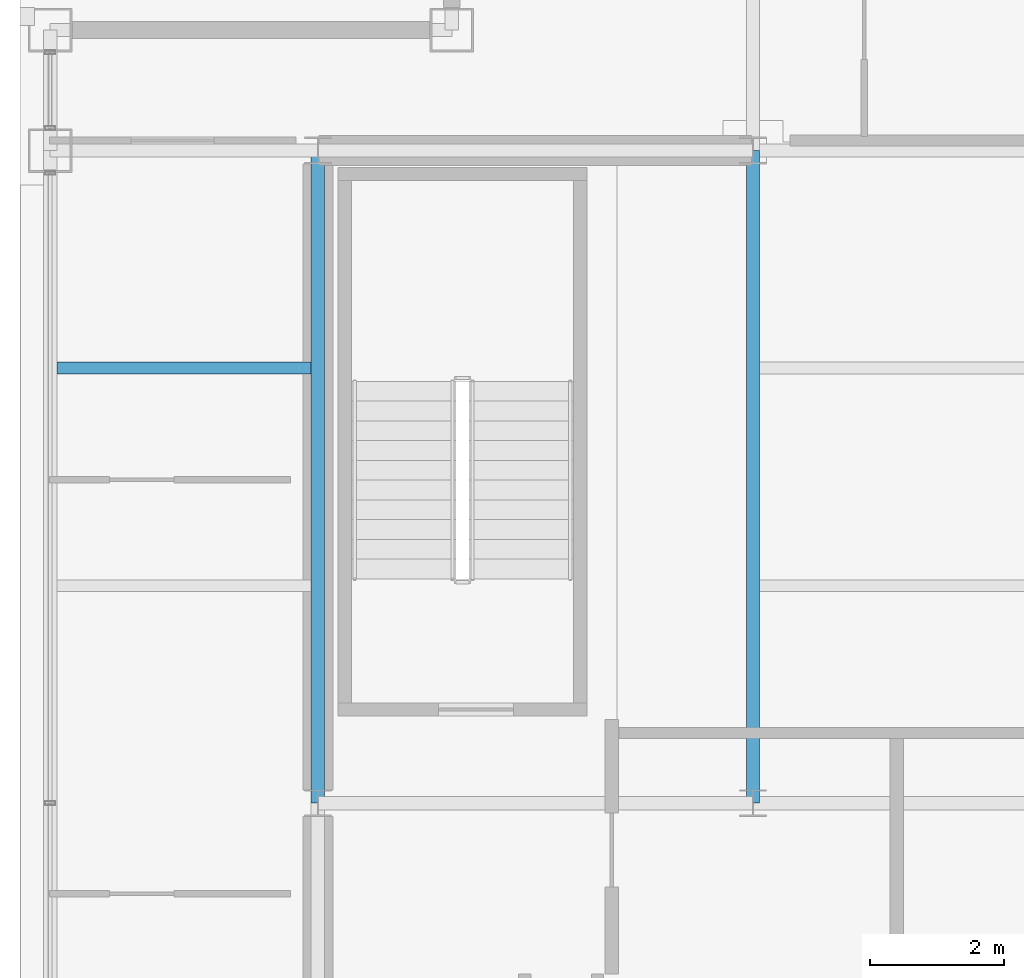
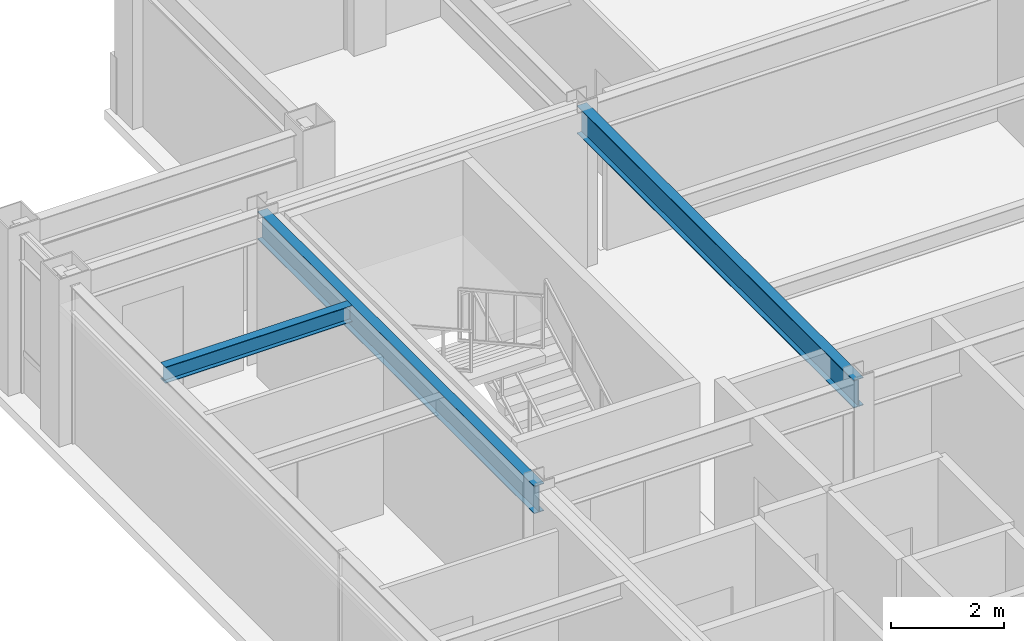
# One storey, part 8 of 24: 3 beams.
"""IFC4 building model written with IfcOpenShell, lengths in metres."""

from ifc_helpers import new_model, si_unit, direction, frame, origin, origin_2d, place, context, subcontext, project, spatial, i_section, extrude, material, material_profile, profile_set, type_object, element, save


model = new_model("IFC4")

# Units and contexts
model_context = context("Model", 3, precision=1e-05, world=origin(), true_north=direction((0.0, 1.0)))
body_context = subcontext(model_context, "Body", "Model", "MODEL_VIEW")
ifc_project = project(units=[si_unit("LENGTHUNIT", "METRE"), si_unit("AREAUNIT", "SQUARE_METRE"), si_unit("VOLUMEUNIT", "CUBIC_METRE"), si_unit("PLANEANGLEUNIT", "RADIAN"), si_unit("MASSUNIT", "GRAM", prefix="KILO")], contexts=[model_context])

# Site, building, storey
site_placement = place(None, origin())
site = spatial("IfcSite", under=ifc_project, at=site_placement, CompositionType="ELEMENT")
building_placement = place(site_placement, origin())
building = spatial("IfcBuilding", under=site, at=building_placement, Name="Brelmoor Portico Tower", CompositionType="ELEMENT")
storey_placement = place(building_placement, frame((0.0, 0.0, 240.0)))
storey = spatial("IfcBuildingStorey", under=building, at=storey_placement, Name="L63", CompositionType="ELEMENT", Elevation=240.0)

# Beams
ifc_material = material(Name="Steel Q355B", Category="steel")
ifc_material_profile_1 = material_profile(ifc_material, i_section(OverallWidth=0.175048828125, OverallDepth=0.35009765625, WebThickness=0.007080078125, FlangeThickness=0.010986328125, at=origin_2d()), Name="HN 350x175x7x11")
ifc_profile_set_1 = profile_set([ifc_material_profile_1], Name="Steel Q355B")
beam_type_1 = type_object("IfcBeamType", Name="BM-JS-350", PredefinedType="JOIST", material=ifc_profile_set_1)
beam_placement = place(storey_placement, frame((-18.449951171875, 6.5, 3.22509765625), z_axis=(1.0, 0.0, 0.0), x_axis=(0.0, 1.0, 0.0)))
element("IfcBeam", 1, at=beam_placement, inside=storey, type_object=beam_type_1, Name="L63 Secondary Wing Joist JS-W10", PredefinedType="JOIST", context=body_context, shape_type="SweptSolid", body=[
    extrude(i_section(OverallWidth=0.175048828125, OverallDepth=0.35009765625, WebThickness=0.007080078125, FlangeThickness=0.010986328125, at=origin_2d()), origin(), (0.0, 0.0, 1.0), 3.800048828125),
])
ifc_material_profile_2 = material_profile(ifc_material, i_section(OverallWidth=0.199951171875, OverallDepth=0.60009765625, WebThickness=0.010986328125, FlangeThickness=0.01708984375, at=origin_2d()), Name="HN 600x200x11x17")
ifc_profile_set_2 = profile_set([ifc_material_profile_2], Name="Steel Q355B")
beam_type_2 = type_object("IfcBeamType", Name="BM-PG-600", PredefinedType="BEAM", material=ifc_profile_set_2)
for number, where, z_axis, x_axis, name in (
    (2, (-14.550048828125, 0.0, 3.10009765625), (0.0, 1.0, 0.0), (-1.0, 0.0, 0.0), "L63 Primary Floor Girder PG-02"),
    (3, (-8.050048828125, 0.0, 3.10009765625), (0.0, 1.0, 0.0), (-1.0, 0.0, 0.0), "L63 Primary Floor Girder PG-04"),
):
    element("IfcBeam", number, at=place(storey_placement, frame(where, z_axis=z_axis, x_axis=x_axis)), inside=storey, type_object=beam_type_2, Name=name, PredefinedType="BEAM", context=body_context, shape_type="SweptSolid", body=[
        extrude(i_section(OverallWidth=0.199951171875, OverallDepth=0.60009765625, WebThickness=0.010986328125, FlangeThickness=0.01708984375, at=origin_2d()), origin(), (0.0, 0.0, 1.0), 9.75),
    ])

save(model, "model.ifc")
